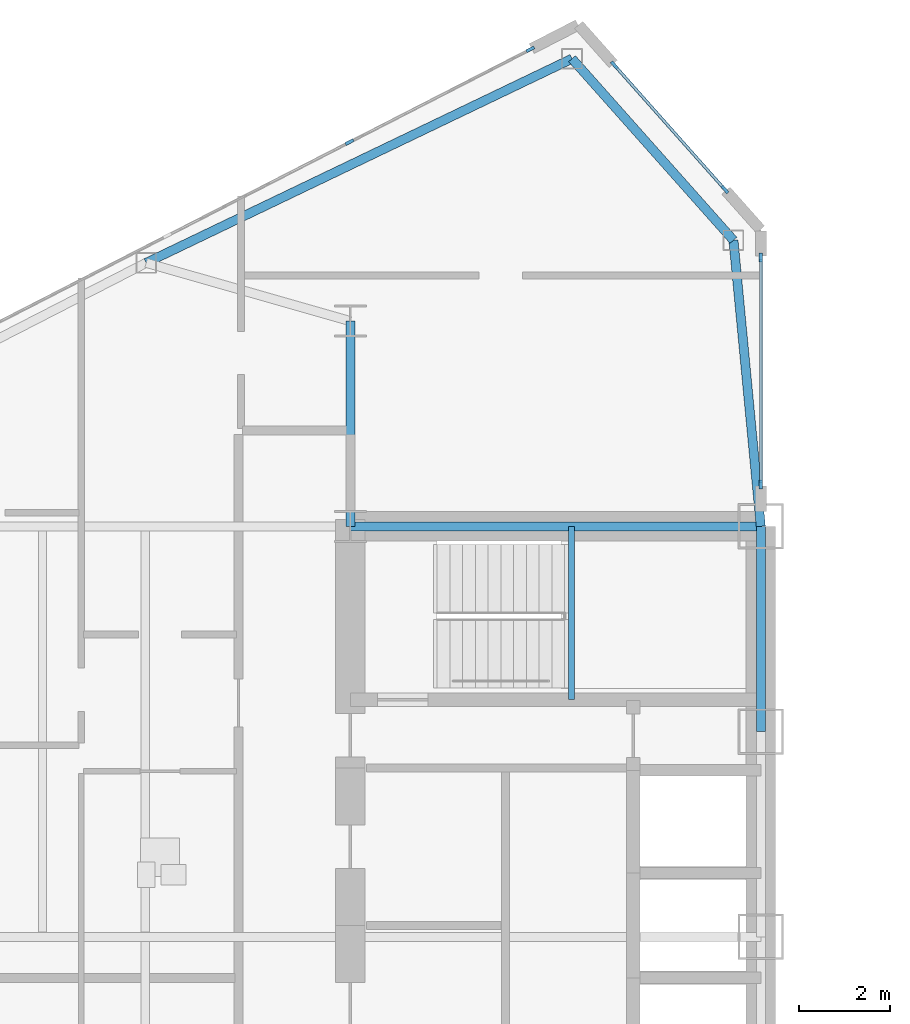
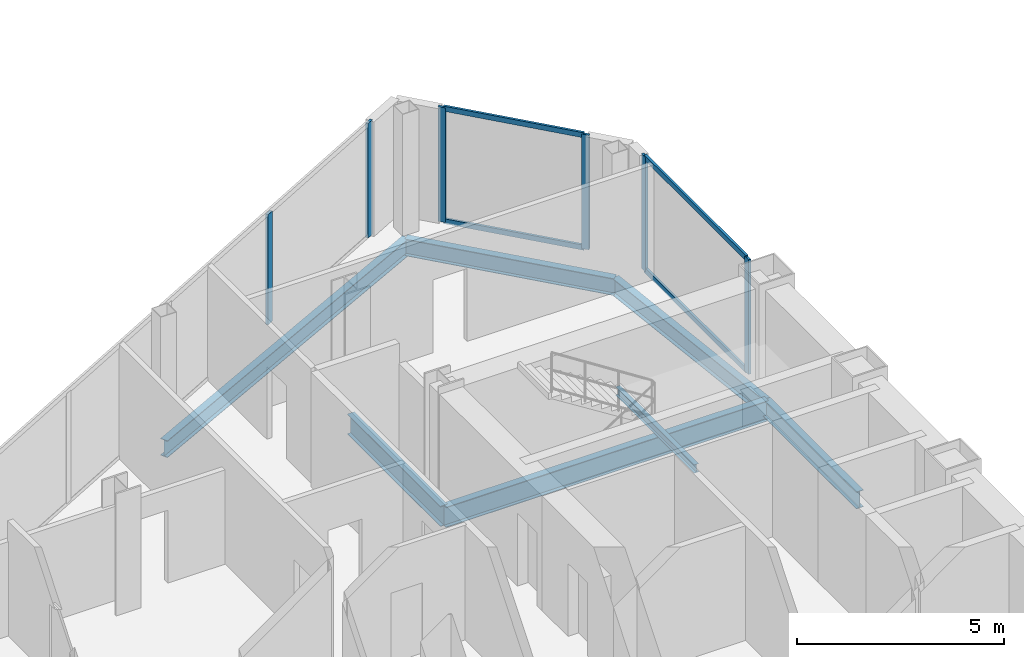
# One storey, part 7 of 24: 10 members, 7 beams, 3 elements without a shape of their own.
"""IFC4 building model written with IfcOpenShell, lengths in metres."""

from ifc_helpers import new_model, si_unit, direction, frame, origin, origin_2d, place, context, subcontext, project, spatial, rectangle, i_section, extrude, source, transform, mapped, material, layer, layer_set, material_profile, profile_set, type_object, type_shapes, element, aggregate, save


model = new_model("IFC4")

# Units and contexts
model_context = context("Model", 3, precision=1e-05, world=origin(), true_north=direction((0.0, 1.0)))
body_context = subcontext(model_context, "Body", "Model", "MODEL_VIEW")
ifc_project = project(units=[si_unit("LENGTHUNIT", "METRE"), si_unit("AREAUNIT", "SQUARE_METRE"), si_unit("VOLUMEUNIT", "CUBIC_METRE"), si_unit("PLANEANGLEUNIT", "RADIAN"), si_unit("MASSUNIT", "GRAM", prefix="KILO")], contexts=[model_context])

# Site, building, storey
site_placement = place(None, origin())
site = spatial("IfcSite", under=ifc_project, at=site_placement, CompositionType="ELEMENT")
building_placement = place(site_placement, origin())
building = spatial("IfcBuilding", under=site, at=building_placement, Name="Seokmaru Belvedere", CompositionType="ELEMENT")
storey_placement = place(building_placement, frame((0.0, 0.0, 117.60009765625)))
storey = spatial("IfcBuildingStorey", under=building, at=storey_placement, Name="L31", CompositionType="ELEMENT", Elevation=117.60009765625)

# Beams
ifc_material_1 = material(Name="Steel SM355 (355 MPa)", Category="steel")
ifc_material_profile_1 = material_profile(ifc_material_1, i_section(OverallWidth=0.199951171875, OverallDepth=0.5, WebThickness=0.010009765625, FlangeThickness=0.01611328125, at=origin_2d()), Name="H-500x200x10x16")
ifc_profile_set_1 = profile_set([ifc_material_profile_1], Name="Steel SM355 (355 MPa)")
beam_type_1 = type_object("IfcBeamType", Name="Perimeter Spandrel Beam H-500", PredefinedType="SPANDREL", material=ifc_profile_set_1)
shared_shape_1 = source(origin(), body_context, "Body", "SweptSolid", [
    extrude(i_section(OverallWidth=0.199951171875, OverallDepth=0.5, WebThickness=0.010009765625, FlangeThickness=0.01611328125, at=origin_2d()), origin(), (0.0, 0.0, 1.0), 4.5),
])
beam_1_placement = place(storey_placement, frame((-27.5, 9.0, -0.47021484375), z_axis=(0.0, 1.0, 0.0), x_axis=(-1.0, 0.0, 0.0)))
element("IfcBeam", 1, at=beam_1_placement, inside=storey, type_object=beam_type_1, Name="L31 W Portal Spine Spandrel 5", PredefinedType="SPANDREL", context=body_context, shape_type="MappedRepresentation", body=[
    mapped(shared_shape_1, transform((0.0, 0.0, 0.0), scale=1.0)),
])
ifc_material_profile_2 = material_profile(ifc_material_1, i_section(OverallWidth=0.199951171875, OverallDepth=0.60009765625, WebThickness=0.010986328125, FlangeThickness=0.01708984375, at=origin_2d()), Name="H-600x200x11x17")
ifc_profile_set_2 = profile_set([ifc_material_profile_2], Name="Steel SM355 (355 MPa)")
beam_type_2 = type_object("IfcBeamType", Name="Primary Floor Girder H-600", PredefinedType="BEAM", material=ifc_profile_set_2)
shared_shape_2 = source(origin(), body_context, "Body", "SweptSolid", [
    extrude(i_section(OverallWidth=0.199951171875, OverallDepth=0.60009765625, WebThickness=0.010986328125, FlangeThickness=0.01708984375, at=origin_2d()), origin(), (0.0, 0.0, 1.0), 9.0),
])
beam_2_placement = place(storey_placement, frame((-36.5, 13.5, -0.52001953125), z_axis=(1.0, 0.0, 0.0), x_axis=(0.0, 1.0, 0.0)))
element("IfcBeam", 2, at=beam_2_placement, inside=storey, type_object=beam_type_2, Name="L31 W Core Tie Girder 4", PredefinedType="BEAM", context=body_context, shape_type="MappedRepresentation", body=[
    mapped(shared_shape_2, transform((0.0, 0.0, 0.0), scale=1.0)),
])
shared_shape_3 = source(origin(), body_context, "Body", "SweptSolid", [
    extrude(i_section(OverallWidth=0.199951171875, OverallDepth=0.60009765625, WebThickness=0.010986328125, FlangeThickness=0.01708984375, at=origin_2d()), origin(), (0.0, 0.0, 1.0), 4.5),
])
type_shapes(beam_type_2, [shared_shape_2, shared_shape_3])
beam_3_placement = place(storey_placement, frame((-36.5, 13.5, -0.52001953125), z_axis=(0.0, 1.0, 0.0), x_axis=(-1.0, 0.0, 0.0)))
element("IfcBeam", 3, at=beam_3_placement, inside=storey, type_object=beam_type_2, Name="L31 W Core Shoulder Girder N", PredefinedType="BEAM", context=body_context, shape_type="MappedRepresentation", body=[
    mapped(shared_shape_3, transform((0.0, 0.0, 0.0), scale=1.0)),
])
shared_shape_4 = source(origin(), body_context, "Body", "SweptSolid", [
    extrude(i_section(OverallWidth=0.199951171875, OverallDepth=0.5, WebThickness=0.010009765625, FlangeThickness=0.01611328125, at=origin_2d()), origin(), (0.0, 0.0, 1.0), 10.353759765625),
])
beam_4_placement = place(storey_placement, frame((-31.6396484375, 23.75390625, -0.47021484375), z_axis=(-0.901713202822, -0.432334708134, 0.0), x_axis=(0.432334708134, -0.901713202822, 0.0)))
element("IfcBeam", 4, at=beam_4_placement, inside=storey, type_object=beam_type_1, Name="L31 W Faceted Flank Spandrel N-1", PredefinedType="SPANDREL", context=body_context, shape_type="MappedRepresentation", body=[
    mapped(shared_shape_4, transform((0.0, 0.0, 0.0), scale=1.0)),
])
shared_shape_5 = source(origin(), body_context, "Body", "SweptSolid", [
    extrude(i_section(OverallWidth=0.199951171875, OverallDepth=0.5, WebThickness=0.010009765625, FlangeThickness=0.01611328125, at=origin_2d()), origin(), (0.0, 0.0, 1.0), 5.32763671875),
])
beam_5_placement = place(storey_placement, frame((-31.6396484375, 23.75390625, -0.47021484375), z_axis=(0.66436952742, -0.74740426212, 0.0), x_axis=(0.74740426212, 0.66436952742, 0.0)))
element("IfcBeam", 5, at=beam_5_placement, inside=storey, type_object=beam_type_1, Name="L31 W Shoulder Chamfer Spandrel N", PredefinedType="SPANDREL", context=body_context, shape_type="MappedRepresentation", body=[
    mapped(shared_shape_5, transform((0.0, 0.0, 0.0), scale=1.0)),
])
shared_shape_6 = source(origin(), body_context, "Body", "SweptSolid", [
    extrude(i_section(OverallWidth=0.199951171875, OverallDepth=0.5, WebThickness=0.010009765625, FlangeThickness=0.01611328125, at=origin_2d()), origin(), (0.0, 0.0, 1.0), 6.300537109375),
])
type_shapes(beam_type_1, [shared_shape_1, shared_shape_4, shared_shape_5, shared_shape_6])
beam_6_placement = place(storey_placement, frame((-28.10009765625, 19.77197265625, -0.47021484375), z_axis=(0.095244287992, -0.995453929424, 0.0), x_axis=(0.995453929424, 0.095244287992, 0.0)))
element("IfcBeam", 6, at=beam_6_placement, inside=storey, type_object=beam_type_1, Name="L31 W Shoulder Spine Spandrel N", PredefinedType="SPANDREL", context=body_context, shape_type="MappedRepresentation", body=[
    mapped(shared_shape_6, transform((0.0, 0.0, 0.0), scale=1.0)),
])

# Curtain wall, members
ifc_material_2 = material(Name="Bronze Triple Insulating Glass", Category="glass")
ifc_layer = layer(ifc_material_2, 0.195068359375)
ifc_layer_set = layer_set([ifc_layer], Name="Bronze Triple Insulating Glass")
curtain_wall_type = type_object("IfcCurtainWallType", Name="Sky-Lobby and Mid-Rise Curtain Wall System CW-4", PredefinedType="NOTDEFINED", material=ifc_layer_set)
curtain_wall_1_placement = place(storey_placement, origin())
curtain_wall_1 = element("IfcCurtainWall", 7, at=curtain_wall_1_placement, inside=storey, type_object=curtain_wall_type, Name="L31 Curtain Wall WSP_2", PredefinedType="NOTDEFINED")
ifc_material_3 = material(Name="Anodised Bronze Aluminium", Category="aluminium")
ifc_material_profile_3 = material_profile(ifc_material_3, rectangle(XDim=0.070068359375, YDim=0.195068359375, at=origin_2d()), Name="CW-M-70x195")
ifc_profile_set_3 = profile_set([ifc_material_profile_3], Name="Anodised Bronze Aluminium")
member_type_1 = type_object("IfcMemberType", Name="Bronze Unitised Mullion 70x195", PredefinedType="MULLION", material=ifc_profile_set_3)
shared_shape_7 = source(origin(), body_context, "Body", "SweptSolid", [
    extrude(rectangle(XDim=0.070068359375, YDim=0.195068359375, at=origin_2d()), origin(), (0.0, 0.0, 1.0), 3.3798828125),
])
member_1_placement = place(storey_placement, frame((-27.5, 14.4150390625, 0.0), z_axis=(0.0, 0.0, 1.0), x_axis=(-1.0, 0.0, 0.0)))
member_1 = element("IfcMember", 8, at=member_1_placement, type_object=member_type_1, Name="CW:L31:WSP_2 Mullion 1", PredefinedType="MULLION", context=body_context, shape_type="MappedRepresentation", body=[
    mapped(shared_shape_7, transform((0.0, 0.0, 0.0), scale=1.0)),
])
member_2_placement = place(storey_placement, frame((-27.5, 19.39501953125, 0.0), z_axis=(0.0, 0.0, 1.0), x_axis=(-1.0, 0.0, 0.0)))
member_2 = element("IfcMember", 9, at=member_2_placement, type_object=member_type_1, Name="CW:L31:WSP_2 Mullion 2", PredefinedType="MULLION", context=body_context, shape_type="MappedRepresentation", body=[
    mapped(shared_shape_7, transform((0.0, 0.0, 0.0), scale=1.0)),
])

curtain_wall_2_placement = place(storey_placement, origin())
curtain_wall_2 = element("IfcCurtainWall", 10, at=curtain_wall_2_placement, inside=storey, type_object=curtain_wall_type, Name="L31 Curtain Wall WF2", PredefinedType="NOTDEFINED")
member_3_placement = place(storey_placement, frame((-28.287353515625, 20.8857421875, 0.0), z_axis=(0.0, 0.0, 1.0), x_axis=(-0.747409774804, -0.664363325694, 0.0)))
member_3 = element("IfcMember", 11, at=member_3_placement, type_object=member_type_1, Name="CW:L31:WF2 Mullion 1", PredefinedType="MULLION", context=body_context, shape_type="MappedRepresentation", body=[
    mapped(shared_shape_7, transform((0.0, 0.0, 0.0), scale=1.0)),
])
member_4_placement = place(storey_placement, frame((-30.712646484375, 23.6142578125, 0.0), z_axis=(0.0, 0.0, 1.0), x_axis=(-0.747409774804, -0.664363325694, 0.0)))
member_4 = element("IfcMember", 12, at=member_4_placement, type_object=member_type_1, Name="CW:L31:WF2 Mullion 2", PredefinedType="MULLION", context=body_context, shape_type="MappedRepresentation", body=[
    mapped(shared_shape_7, transform((0.0, 0.0, 0.0), scale=1.0)),
])

# Curtain wall, member
curtain_wall_3_placement = place(storey_placement, origin())
curtain_wall_3 = element("IfcCurtainWall", 13, at=curtain_wall_3_placement, inside=storey, type_object=curtain_wall_type, Name="L31 Curtain Wall WF3", PredefinedType="NOTDEFINED")
member_5_placement = place(storey_placement, frame((-32.55419921875, 23.958984375, 0.0), z_axis=(0.0, 0.0, 1.0), x_axis=(0.456554528263, -0.889695432562, 0.0)))
member_5 = element("IfcMember", 14, at=member_5_placement, type_object=member_type_1, Name="CW:L31:WF3 Mullion 1", PredefinedType="MULLION", context=body_context, shape_type="MappedRepresentation", body=[
    mapped(shared_shape_7, transform((0.0, 0.0, 0.0), scale=1.0)),
])

# Member
ifc_material_profile_4 = material_profile(ifc_material_3, rectangle(XDim=0.06494140625, YDim=0.14990234375, at=origin_2d()), Name="CW-T-65x150")
ifc_profile_set_4 = profile_set([ifc_material_profile_4], Name="Anodised Bronze Aluminium")
member_type_2 = type_object("IfcMemberType", Name="Bronze Unitised Transom 65x150", PredefinedType="USERDEFINED", material=ifc_profile_set_4)
shared_shape_8 = source(origin(), body_context, "Body", "SweptSolid", [
    extrude(rectangle(XDim=0.06494140625, YDim=0.14990234375, at=origin_2d()), origin(), (0.0, 0.0, 1.0), 4.91015625),
])
member_6_placement = place(storey_placement, frame((-27.5, 14.449951171875, 0.032470703125), z_axis=(0.0, 1.0, 0.0), x_axis=(-1.0, 0.0, 0.0)))
member_6 = element("IfcMember", 15, at=member_6_placement, type_object=member_type_2, Name="CW:L31:WSP_2 Continuous Transom 1", ObjectType="TRANSOM", PredefinedType="USERDEFINED", context=body_context, shape_type="MappedRepresentation", body=[
    mapped(shared_shape_8, transform((0.0, 0.0, 0.0), scale=1.0)),
])

member_7_placement = place(storey_placement, frame((-27.5, 14.449951171875, 3.347412109375), z_axis=(0.0, 1.0, 0.0), x_axis=(-1.0, 0.0, 0.0)))
member_7 = element("IfcMember", 16, at=member_7_placement, type_object=member_type_2, Name="CW:L31:WSP_2 Continuous Transom 2", ObjectType="TRANSOM", PredefinedType="USERDEFINED", context=body_context, shape_type="MappedRepresentation", body=[
    mapped(shared_shape_8, transform((0.0, 0.0, 0.0), scale=1.0)),
])

aggregate(curtain_wall_1, [member_1, member_2, member_6, member_7])

shared_shape_9 = source(origin(), body_context, "Body", "SweptSolid", [
    extrude(rectangle(XDim=0.06494140625, YDim=0.14990234375, at=origin_2d()), origin(), (0.0, 0.0, 1.0), 3.580810546875),
])
type_shapes(member_type_2, [shared_shape_8, shared_shape_9])
member_8_placement = place(storey_placement, frame((-28.310546875, 20.911865234375, 0.032470703125), z_axis=(-0.66436383883, 0.747409318684, 0.0), x_axis=(-0.747409318684, -0.66436383883, 0.0)))
member_8 = element("IfcMember", 17, at=member_8_placement, type_object=member_type_2, Name="CW:L31:WF2 Continuous Transom 1", ObjectType="TRANSOM", PredefinedType="USERDEFINED", context=body_context, shape_type="MappedRepresentation", body=[
    mapped(shared_shape_9, transform((0.0, 0.0, 0.0), scale=1.0)),
])

member_9_placement = place(storey_placement, frame((-28.310546875, 20.911865234375, 3.347412109375), z_axis=(-0.66436383883, 0.747409318684, 0.0), x_axis=(-0.747409318684, -0.66436383883, 0.0)))
member_9 = element("IfcMember", 18, at=member_9_placement, type_object=member_type_2, Name="CW:L31:WF2 Continuous Transom 2", ObjectType="TRANSOM", PredefinedType="USERDEFINED", context=body_context, shape_type="MappedRepresentation", body=[
    mapped(shared_shape_9, transform((0.0, 0.0, 0.0), scale=1.0)),
])

aggregate(curtain_wall_2, [member_3, member_4, member_8, member_9])

shared_shape_10 = source(origin(), body_context, "Body", "SweptSolid", [
    extrude(rectangle(XDim=0.070068359375, YDim=0.195068359375, at=origin_2d()), origin(), (0.0, 0.0, 1.0), 3.25),
])
type_shapes(member_type_1, [shared_shape_7, shared_shape_10])
member_10_placement = place(storey_placement, frame((-36.51806640625, 21.925048828125, 0.06494140625), z_axis=(0.0, 0.0, 1.0), x_axis=(0.456554528263, -0.889695432562, 0.0)))
member_10 = element("IfcMember", 19, at=member_10_placement, type_object=member_type_1, Name="CW:L31:WF3 Mullion 2", PredefinedType="MULLION", context=body_context, shape_type="MappedRepresentation", body=[
    mapped(shared_shape_10, transform((0.0, 0.0, 0.0), scale=1.0)),
])

aggregate(curtain_wall_3, [member_5, member_10])

# Beam
ifc_material_profile_5 = material_profile(ifc_material_1, i_section(OverallWidth=0.125, OverallDepth=0.25, WebThickness=0.006103515625, FlangeThickness=0.009033203125, at=origin_2d()), Name="H-250x125x6x9")
ifc_profile_set_5 = profile_set([ifc_material_profile_5], Name="Steel SM355 (355 MPa)")
beam_type_3 = type_object("IfcBeamType", Name="Stair Mid-Landing Support Beam H-250", PredefinedType="JOIST", material=ifc_profile_set_5)
shared_shape_11 = source(origin(), body_context, "Body", "SweptSolid", [
    extrude(i_section(OverallWidth=0.125, OverallDepth=0.25, WebThickness=0.006103515625, FlangeThickness=0.009033203125, at=origin_2d()), origin(), (0.0, 0.0, 1.0), 3.800048828125),
])
type_shapes(beam_type_3, [shared_shape_11])
beam_7_placement = place(storey_placement, frame((-31.64990234375, 9.699951171875, 1.474853515625), z_axis=(0.0, 1.0, 0.0), x_axis=(-1.0, 0.0, 0.0)))
element("IfcBeam", 20, at=beam_7_placement, inside=storey, type_object=beam_type_3, Name="L31 Stair ST-W2 Mid-Landing Support Beam 1", PredefinedType="JOIST", context=body_context, shape_type="MappedRepresentation", body=[
    mapped(shared_shape_11, transform((0.0, 0.0, 0.0), scale=1.0)),
])

save(model, "model.ifc")
